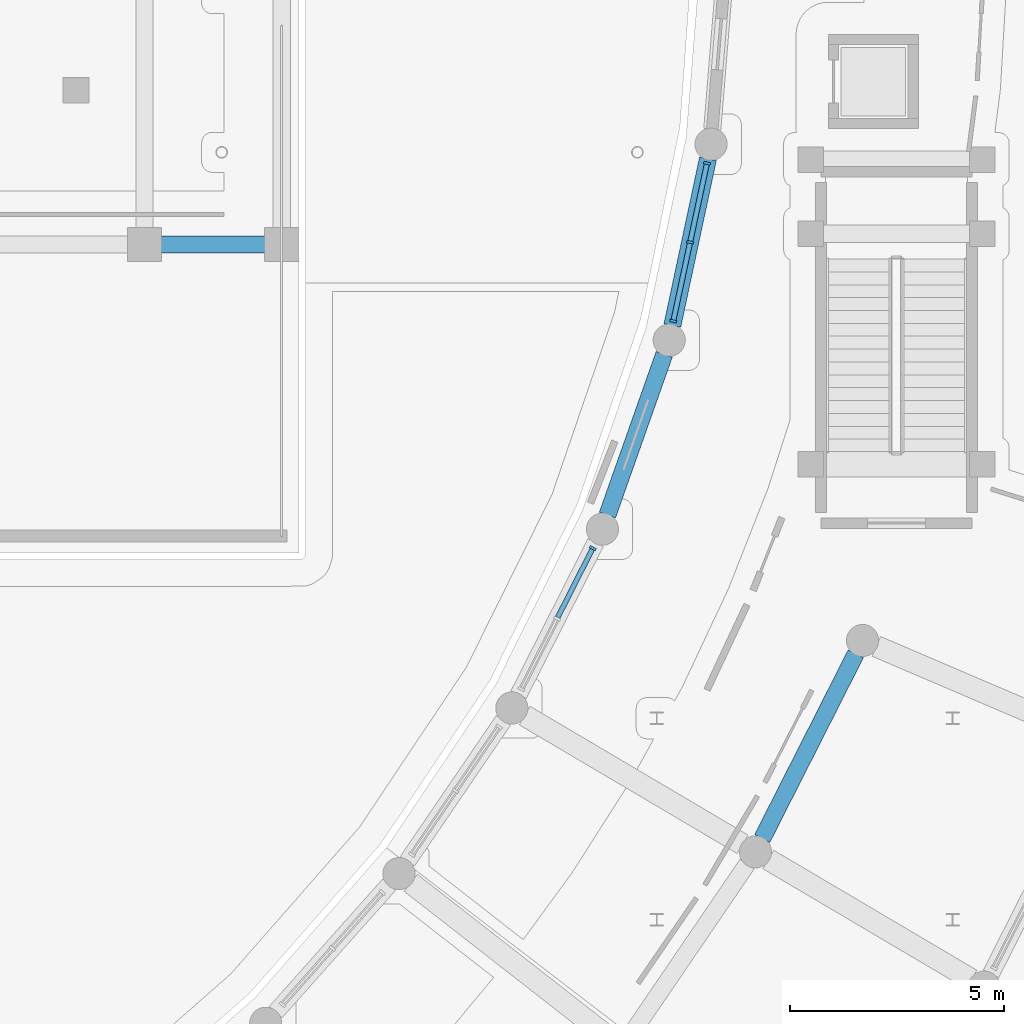
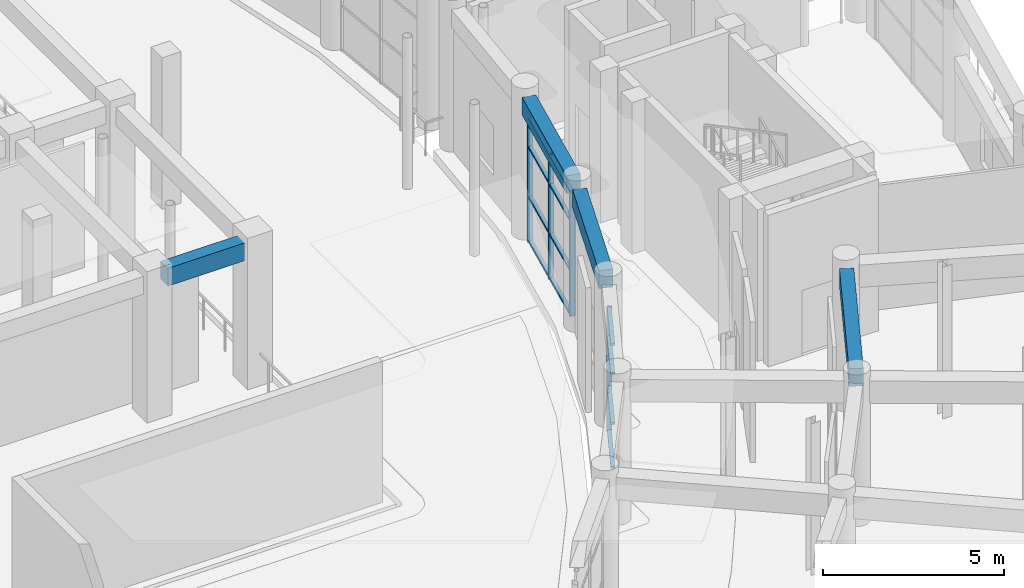
# One storey, part 42 of 99: 16 members, 4 beams, 2 elements without a shape of their own.
"""IFC4 building model written with IfcOpenShell, lengths in metres."""

from ifc_helpers import new_model, si_unit, direction, frame, origin, origin_2d, place, context, subcontext, project, spatial, rectangle, extrude, material, material_profile, profile_set, type_object, element, aggregate, save


model = new_model("IFC4")

# Units and contexts
model_context = context("Model", 3, precision=1e-05, world=origin(), true_north=direction((0.0, 1.0)))
body_context = subcontext(model_context, "Body", "Model", "MODEL_VIEW")
ifc_project = project(units=[si_unit("LENGTHUNIT", "METRE"), si_unit("AREAUNIT", "SQUARE_METRE"), si_unit("VOLUMEUNIT", "CUBIC_METRE"), si_unit("PLANEANGLEUNIT", "RADIAN"), si_unit("MASSUNIT", "GRAM", prefix="KILO")], contexts=[model_context])

# Site, building, storey
site_placement = place(None, origin())
site = spatial("IfcSite", under=ifc_project, at=site_placement, CompositionType="ELEMENT")
building_placement = place(site_placement, origin())
building = spatial("IfcBuilding", under=site, at=building_placement, Name="Saryqyr Civic Hall", CompositionType="ELEMENT")
storey_placement = place(building_placement, origin())
storey = spatial("IfcBuildingStorey", under=building, at=storey_placement, Name="L00", CompositionType="ELEMENT", Elevation=0.0)

# Curtain wall, member
ifc_material_1 = material(Name="Anodised aluminium and triple low-E glass", Category="aluminium")
curtain_wall_type_1 = type_object("IfcCurtainWallType", Name="ENV-CW-STD-09", PredefinedType="NOTDEFINED", material=ifc_material_1)
curtain_wall_1_placement = place(storey_placement, origin())
curtain_wall_1 = element("IfcCurtainWall", 1, at=curtain_wall_1_placement, inside=storey, type_object=curtain_wall_type_1, Name="Curtain wall V5-CWI-L00-06", PredefinedType="NOTDEFINED")
ifc_material_2 = material(Name="Anodised aluminium", Category="aluminium")
ifc_material_profile_1 = material_profile(ifc_material_2, rectangle(XDim=0.06005859375, YDim=0.159912109375, at=origin_2d()), Name="ALU MULLION 60x160")
ifc_profile_set_1 = profile_set([ifc_material_profile_1], Name="Anodised aluminium")
member_type_1 = type_object("IfcMemberType", Name="ENV-CW-MUL-180", PredefinedType="MULLION", material=ifc_profile_set_1)
member_1_placement = place(storey_placement, frame((90.0576171875, 69.31787109375, 0.0), z_axis=(0.0, 0.0, 1.0), x_axis=(0.451949777601, 0.892043383769, 0.0)))
member_1 = element("IfcMember", 2, at=member_1_placement, type_object=member_type_1, Name="CW-09 mullion 3", PredefinedType="MULLION", context=body_context, shape_type="SweptSolid", body=[
    extrude(rectangle(XDim=0.06005859375, YDim=0.159912109375, at=origin_2d()), origin(), (0.0, 0.0, 1.0), 4.195068359375),
])

# Curtain wall, members
curtain_wall_type_2 = type_object("IfcCurtainWallType", Name="ENV-CW-STD-07", PredefinedType="NOTDEFINED", material=ifc_material_1)
curtain_wall_2_placement = place(storey_placement, origin())
curtain_wall_2 = element("IfcCurtainWall", 3, at=curtain_wall_2_placement, inside=storey, type_object=curtain_wall_type_2, Name="Curtain wall V5-CWI-L00-08", PredefinedType="NOTDEFINED")
member_2_placement = place(storey_placement, frame((91.93408203125, 74.612060546875, 0.0), z_axis=(0.0, 0.0, 1.0), x_axis=(0.208909750792, 0.977934924228, 0.0)))
member_2 = element("IfcMember", 4, at=member_2_placement, type_object=member_type_1, Name="CW-07 mullion 1", PredefinedType="MULLION", context=body_context, shape_type="SweptSolid", body=[
    extrude(rectangle(XDim=0.06005859375, YDim=0.159912109375, at=origin_2d()), origin(), (0.0, 0.0, 1.0), 4.195068359375),
])
member_3_placement = place(storey_placement, frame((92.327392578125, 76.453857421875, 0.0), z_axis=(0.0, 0.0, 1.0), x_axis=(0.208909750792, 0.977934924228, 0.0)))
member_3 = element("IfcMember", 5, at=member_3_placement, type_object=member_type_1, Name="CW-07 mullion 2", PredefinedType="MULLION", context=body_context, shape_type="SweptSolid", body=[
    extrude(rectangle(XDim=0.06005859375, YDim=0.159912109375, at=origin_2d()), origin(), (0.0, 0.0, 1.0), 4.195068359375),
])
member_4_placement = place(storey_placement, frame((92.720947265625, 78.295654296875, 0.0), z_axis=(0.0, 0.0, 1.0), x_axis=(0.208909750792, 0.977934924228, 0.0)))
member_4 = element("IfcMember", 6, at=member_4_placement, type_object=member_type_1, Name="CW-07 mullion 3", PredefinedType="MULLION", context=body_context, shape_type="SweptSolid", body=[
    extrude(rectangle(XDim=0.06005859375, YDim=0.159912109375, at=origin_2d()), origin(), (0.0, 0.0, 1.0), 4.195068359375),
])

# Member
ifc_material_profile_2 = material_profile(ifc_material_2, rectangle(XDim=0.1201171875, YDim=0.06005859375, at=origin_2d()), Name="ALU TRANSOM 120x60")
ifc_profile_set_2 = profile_set([ifc_material_profile_2], Name="Anodised aluminium")
member_type_2 = type_object("IfcMemberType", Name="ENV-CW-TRN-150", PredefinedType="USERDEFINED", material=ifc_profile_set_2)
member_5_placement = place(storey_placement, frame((89.238525390625, 67.701171875, 0.030029296875), z_axis=(0.452028737244, 0.892003374829, 0.0), x_axis=(-0.892003374829, 0.452028737244, 0.0)))
member_5 = element("IfcMember", 7, at=member_5_placement, type_object=member_type_2, Name="CW-09 transom 2.1", ObjectType="TRANSOM", PredefinedType="USERDEFINED", context=body_context, shape_type="SweptSolid", body=[
    extrude(rectangle(XDim=0.1201171875, YDim=0.06005859375, at=origin_2d()), origin(), (0.0, 0.0, 1.0), 1.7822265625),
])

member_6_placement = place(storey_placement, frame((89.238525390625, 67.701171875, 1.510009765625), z_axis=(0.452028737244, 0.892003374829, 0.0), x_axis=(-0.892003374829, 0.452028737244, 0.0)))
member_6 = element("IfcMember", 8, at=member_6_placement, type_object=member_type_2, Name="CW-09 transom 2.2", ObjectType="TRANSOM", PredefinedType="USERDEFINED", context=body_context, shape_type="SweptSolid", body=[
    extrude(rectangle(XDim=0.1201171875, YDim=0.06005859375, at=origin_2d()), origin(), (0.0, 0.0, 1.0), 1.7822265625),
])

member_7_placement = place(storey_placement, frame((89.238525390625, 67.701171875, 3.18798828125), z_axis=(0.452028737244, 0.892003374829, 0.0), x_axis=(-0.892003374829, 0.452028737244, 0.0)))
member_7 = element("IfcMember", 9, at=member_7_placement, type_object=member_type_2, Name="CW-09 transom 2.3", ObjectType="TRANSOM", PredefinedType="USERDEFINED", context=body_context, shape_type="SweptSolid", body=[
    extrude(rectangle(XDim=0.1201171875, YDim=0.06005859375, at=origin_2d()), origin(), (0.0, 0.0, 1.0), 1.7822265625),
])

member_8_placement = place(storey_placement, frame((89.238525390625, 67.701171875, 4.1650390625), z_axis=(0.452028737244, 0.892003374829, 0.0), x_axis=(-0.892003374829, 0.452028737244, 0.0)))
member_8 = element("IfcMember", 10, at=member_8_placement, type_object=member_type_2, Name="CW-09 transom 2.4", ObjectType="TRANSOM", PredefinedType="USERDEFINED", context=body_context, shape_type="SweptSolid", body=[
    extrude(rectangle(XDim=0.1201171875, YDim=0.06005859375, at=origin_2d()), origin(), (0.0, 0.0, 1.0), 1.7822265625),
])

aggregate(curtain_wall_1, [member_1, member_5, member_6, member_7, member_8])

member_9_placement = place(storey_placement, frame((91.9404296875, 74.641357421875, 0.030029296875), z_axis=(0.208870687102, 0.977943268329, 0.0), x_axis=(-0.977943268329, 0.208870687102, 0.0)))
member_9 = element("IfcMember", 11, at=member_9_placement, type_object=member_type_2, Name="CW-07 transom 1.1", ObjectType="TRANSOM", PredefinedType="USERDEFINED", context=body_context, shape_type="SweptSolid", body=[
    extrude(rectangle(XDim=0.1201171875, YDim=0.06005859375, at=origin_2d()), origin(), (0.0, 0.0, 1.0), 1.823486328125),
])

member_10_placement = place(storey_placement, frame((91.9404296875, 74.641357421875, 1.510009765625), z_axis=(0.208870687102, 0.977943268329, 0.0), x_axis=(-0.977943268329, 0.208870687102, 0.0)))
member_10 = element("IfcMember", 12, at=member_10_placement, type_object=member_type_2, Name="CW-07 transom 1.2", ObjectType="TRANSOM", PredefinedType="USERDEFINED", context=body_context, shape_type="SweptSolid", body=[
    extrude(rectangle(XDim=0.1201171875, YDim=0.06005859375, at=origin_2d()), origin(), (0.0, 0.0, 1.0), 1.823486328125),
])

member_11_placement = place(storey_placement, frame((91.9404296875, 74.641357421875, 3.18798828125), z_axis=(0.208870687102, 0.977943268329, 0.0), x_axis=(-0.977943268329, 0.208870687102, 0.0)))
member_11 = element("IfcMember", 13, at=member_11_placement, type_object=member_type_2, Name="CW-07 transom 1.3", ObjectType="TRANSOM", PredefinedType="USERDEFINED", context=body_context, shape_type="SweptSolid", body=[
    extrude(rectangle(XDim=0.1201171875, YDim=0.06005859375, at=origin_2d()), origin(), (0.0, 0.0, 1.0), 1.823486328125),
])

member_12_placement = place(storey_placement, frame((91.9404296875, 74.641357421875, 4.1650390625), z_axis=(0.208870687102, 0.977943268329, 0.0), x_axis=(-0.977943268329, 0.208870687102, 0.0)))
member_12 = element("IfcMember", 14, at=member_12_placement, type_object=member_type_2, Name="CW-07 transom 1.4", ObjectType="TRANSOM", PredefinedType="USERDEFINED", context=body_context, shape_type="SweptSolid", body=[
    extrude(rectangle(XDim=0.1201171875, YDim=0.06005859375, at=origin_2d()), origin(), (0.0, 0.0, 1.0), 1.823486328125),
])

member_13_placement = place(storey_placement, frame((92.333740234375, 76.483154296875, 0.030029296875), z_axis=(0.208898039766, 0.977937425903, 0.0), x_axis=(-0.977937425903, 0.208898039766, 0.0)))
member_13 = element("IfcMember", 15, at=member_13_placement, type_object=member_type_2, Name="CW-07 transom 2.1", ObjectType="TRANSOM", PredefinedType="USERDEFINED", context=body_context, shape_type="SweptSolid", body=[
    extrude(rectangle(XDim=0.1201171875, YDim=0.06005859375, at=origin_2d()), origin(), (0.0, 0.0, 1.0), 1.8232421875),
])

member_14_placement = place(storey_placement, frame((92.333740234375, 76.483154296875, 1.510009765625), z_axis=(0.208898039766, 0.977937425903, 0.0), x_axis=(-0.977937425903, 0.208898039766, 0.0)))
member_14 = element("IfcMember", 16, at=member_14_placement, type_object=member_type_2, Name="CW-07 transom 2.2", ObjectType="TRANSOM", PredefinedType="USERDEFINED", context=body_context, shape_type="SweptSolid", body=[
    extrude(rectangle(XDim=0.1201171875, YDim=0.06005859375, at=origin_2d()), origin(), (0.0, 0.0, 1.0), 1.8232421875),
])

member_15_placement = place(storey_placement, frame((92.333740234375, 76.483154296875, 3.18798828125), z_axis=(0.208898039766, 0.977937425903, 0.0), x_axis=(-0.977937425903, 0.208898039766, 0.0)))
member_15 = element("IfcMember", 17, at=member_15_placement, type_object=member_type_2, Name="CW-07 transom 2.3", ObjectType="TRANSOM", PredefinedType="USERDEFINED", context=body_context, shape_type="SweptSolid", body=[
    extrude(rectangle(XDim=0.1201171875, YDim=0.06005859375, at=origin_2d()), origin(), (0.0, 0.0, 1.0), 1.8232421875),
])

member_16_placement = place(storey_placement, frame((92.333740234375, 76.483154296875, 4.1650390625), z_axis=(0.208898039766, 0.977937425903, 0.0), x_axis=(-0.977937425903, 0.208898039766, 0.0)))
member_16 = element("IfcMember", 18, at=member_16_placement, type_object=member_type_2, Name="CW-07 transom 2.4", ObjectType="TRANSOM", PredefinedType="USERDEFINED", context=body_context, shape_type="SweptSolid", body=[
    extrude(rectangle(XDim=0.1201171875, YDim=0.06005859375, at=origin_2d()), origin(), (0.0, 0.0, 1.0), 1.8232421875),
])

aggregate(curtain_wall_2, [member_2, member_3, member_4, member_9, member_10, member_11, member_12, member_13, member_14, member_15, member_16])

# Beams
ifc_material_3 = material(Name="Concrete C35/45", Category="concrete")
ifc_material_profile_3 = material_profile(ifc_material_3, rectangle(XDim=0.39990234375, YDim=0.60009765625, at=origin_2d()), Name="RC 400x600")
ifc_profile_set_3 = profile_set([ifc_material_profile_3], Name="Concrete C35/45")
beam_type_1 = type_object("IfcBeamType", Name="STR-BM-RC400x600", PredefinedType="BEAM", material=ifc_profile_set_3)
beam_1_placement = place(storey_placement, frame((79.97509765625, 76.39990234375, 4.52001953125), z_axis=(1.0, 0.0, 0.0), x_axis=(0.0, 1.0, 0.0)))
element("IfcBeam", 19, at=beam_1_placement, inside=storey, type_object=beam_type_1, Name="Beam V1-TBM-04-L00", PredefinedType="BEAM", context=body_context, shape_type="SweptSolid", body=[
    extrude(rectangle(XDim=0.39990234375, YDim=0.60009765625, at=origin_2d()), origin(), (0.0, 0.0, 1.0), 2.449951171875),
])
beam_2_placement = place(storey_placement, frame((94.009521484375, 62.54443359375, 4.52001953125), z_axis=(0.4519004071, 0.892068395395, 0.0), x_axis=(-0.892068395395, 0.4519004071, 0.0)))
element("IfcBeam", 20, at=beam_2_placement, inside=storey, type_object=beam_type_1, Name="Beam V5-CBM-MID06-L00", PredefinedType="BEAM", context=body_context, shape_type="SweptSolid", body=[
    extrude(rectangle(XDim=0.39990234375, YDim=0.60009765625, at=origin_2d()), origin(), (0.0, 0.0, 1.0), 4.82763671875),
])
ifc_material_profile_4 = material_profile(ifc_material_3, rectangle(XDim=0.39990234375, YDim=0.60009765625, at=origin_2d()), Name="RC 400x600")
ifc_profile_set_4 = profile_set([ifc_material_profile_4], Name="Concrete C35/45")
beam_type_2 = type_object("IfcBeamType", Name="STR-BM-RC400x600-EXT", PredefinedType="BEAM", material=ifc_profile_set_4)
beam_3_placement = place(storey_placement, frame((90.39794921875, 70.089599609375, 4.52001953125), z_axis=(0.333218412018, 0.942849664524, 0.0), x_axis=(-0.942849664524, 0.333218412018, 0.0)))
element("IfcBeam", 21, at=beam_3_placement, inside=storey, type_object=beam_type_2, Name="Beam V5-CBM-IN07-L00", PredefinedType="BEAM", context=body_context, shape_type="SweptSolid", body=[
    extrude(rectangle(XDim=0.39990234375, YDim=0.60009765625, at=origin_2d()), origin(), (0.0, 0.0, 1.0), 3.9755859375),
])
beam_4_placement = place(storey_placement, frame((91.912353515625, 74.510009765625, 4.52001953125), z_axis=(0.208866376941, 0.97794418889, 0.0), x_axis=(-0.97794418889, 0.208866376941, 0.0)))
element("IfcBeam", 22, at=beam_4_placement, inside=storey, type_object=beam_type_2, Name="Beam V5-CBM-IN08-L00", PredefinedType="BEAM", context=body_context, shape_type="SweptSolid", body=[
    extrude(rectangle(XDim=0.39990234375, YDim=0.60009765625, at=origin_2d()), origin(), (0.0, 0.0, 1.0), 3.975341796875),
])

save(model, "model.ifc")
